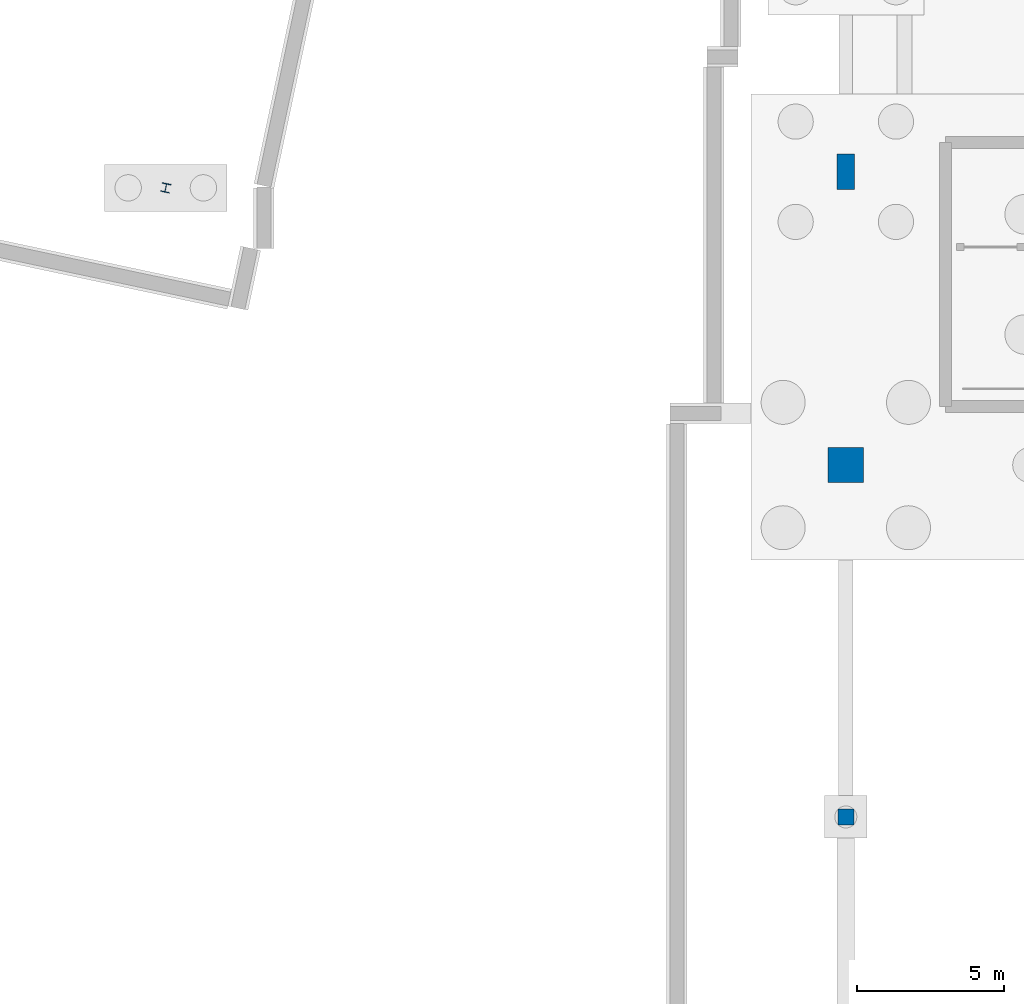
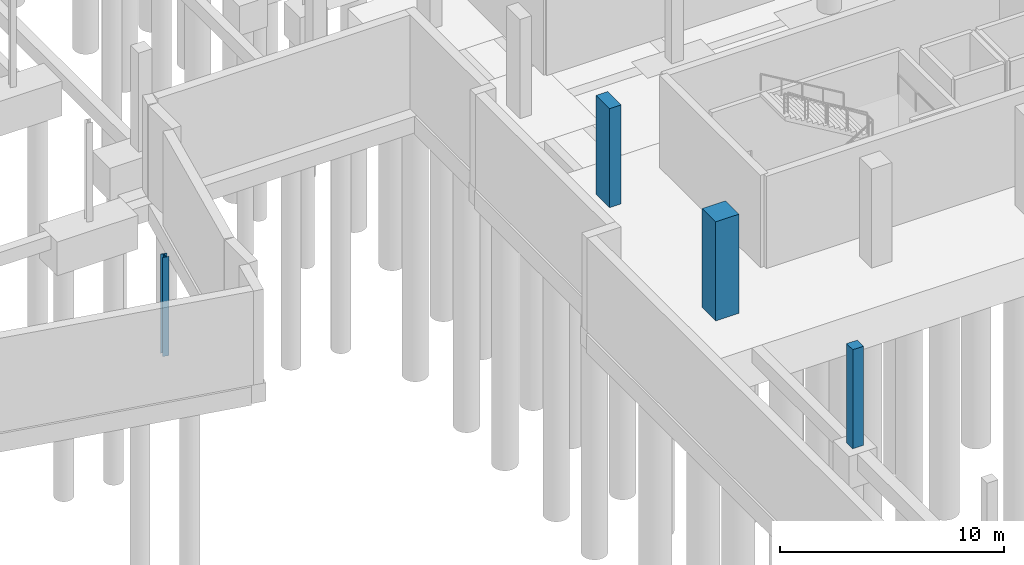
# One storey, part 20 of 65: 4 columns.
"""IFC4 building model written with IfcOpenShell, lengths in metres."""

from ifc_helpers import new_model, si_unit, direction, frame, origin, origin_2d, place, context, subcontext, project, spatial, rectangle, i_section, extrude, material, material_profile, profile_set, type_object, element, save


model = new_model("IFC4")

# Units and contexts
model_context = context("Model", 3, precision=1e-05, world=origin(), true_north=direction((0.0, 1.0)))
body_context = subcontext(model_context, "Body", "Model", "MODEL_VIEW")
ifc_project = project(units=[si_unit("LENGTHUNIT", "METRE"), si_unit("AREAUNIT", "SQUARE_METRE"), si_unit("VOLUMEUNIT", "CUBIC_METRE"), si_unit("PLANEANGLEUNIT", "RADIAN"), si_unit("MASSUNIT", "GRAM", prefix="KILO")], contexts=[model_context])

# Site, building, storey
site_placement = place(None, origin())
site = spatial("IfcSite", under=ifc_project, at=site_placement, CompositionType="ELEMENT")
building_placement = place(site_placement, origin())
building = spatial("IfcBuilding", under=site, at=building_placement, Name="Khorjan Park Terminus", CompositionType="ELEMENT")
storey_placement = place(building_placement, frame((0.0, 0.0, -5.4)))
storey = spatial("IfcBuildingStorey", under=building, at=storey_placement, Name="B1", CompositionType="ELEMENT", Elevation=-5.4)

# Columns
ifc_material_1 = material(Name="Concrete C50/60", Category="concrete")
ifc_material_profile_1 = material_profile(ifc_material_1, rectangle(XDim=0.6, YDim=1.2, at=origin_2d()), Name="RC 600x1200")
ifc_profile_set_1 = profile_set([ifc_material_profile_1], Name="Concrete C50/60")
column_type_1 = type_object("IfcColumnType", Name="COL-BL1200", PredefinedType="COLUMN", material=ifc_profile_set_1)
column_1_placement = place(storey_placement, frame((48.0, 36.0, 0.0), z_axis=(0.0, 0.0, 1.0), x_axis=(1.0, 0.0, 0.0)))
element("IfcColumn", 1, at=column_1_placement, inside=storey, type_object=column_type_1, Name="Structural column C-BL12 (B1 #235)", PredefinedType="COLUMN", context=body_context, shape_type="SweptSolid", body=[
    extrude(rectangle(XDim=0.6, YDim=1.2, at=origin_2d()), origin(), (0.0, 0.0, 1.0), 5.4),
])
ifc_material_2 = material(Name="Steel S355", Category="steel")
ifc_material_profile_2 = material_profile(ifc_material_2, i_section(OverallWidth=0.3, OverallDepth=0.3, WebThickness=0.011, FlangeThickness=0.019, FilletRadius=0.027, at=origin_2d()), Name="HEB 300")
ifc_profile_set_2 = profile_set([ifc_material_profile_2], Name="Steel S355")
column_type_2 = type_object("IfcColumnType", Name="COL-HB300E", PredefinedType="COLUMN", material=ifc_profile_set_2)
column_2_placement = place(storey_placement, frame((24.812, 35.451, 0.0), z_axis=(0.0, 0.0, 1.0), x_axis=(0.978147600734, -0.207911690818, 0.0)))
element("IfcColumn", 2, at=column_2_placement, inside=storey, type_object=column_type_2, Name="Structural column SC-H30 (B1 #638)", PredefinedType="COLUMN", context=body_context, shape_type="SweptSolid", body=[
    extrude(i_section(OverallWidth=0.3, OverallDepth=0.3, WebThickness=0.011, FlangeThickness=0.019, FilletRadius=0.027, at=origin_2d()), origin(), (0.0, 0.0, 1.0), 5.4),
])
ifc_material_profile_3 = material_profile(ifc_material_1, rectangle(XDim=1.2, YDim=1.2, at=origin_2d()), Name="RC 1200x1200")
ifc_profile_set_3 = profile_set([ifc_material_profile_3], Name="Concrete C50/60")
column_type_3 = type_object("IfcColumnType", Name="COL-RC1200", PredefinedType="COLUMN", material=ifc_profile_set_3)
column_3_placement = place(storey_placement, frame((48.0, 26.0, 0.0), z_axis=(0.0, 0.0, 1.0), x_axis=(1.0, 0.0, 0.0)))
element("IfcColumn", 3, at=column_3_placement, inside=storey, type_object=column_type_3, Name="Structural column C-RC12 (B1 #230)", PredefinedType="COLUMN", context=body_context, shape_type="SweptSolid", body=[
    extrude(rectangle(XDim=1.2, YDim=1.2, at=origin_2d()), origin(), (0.0, 0.0, 1.0), 5.4),
])
ifc_material_3 = material(Name="Concrete C40/50", Category="concrete")
ifc_material_profile_4 = material_profile(ifc_material_3, rectangle(XDim=0.55, YDim=0.55, at=origin_2d()), Name="RC 550x550")
ifc_profile_set_4 = profile_set([ifc_material_profile_4], Name="Concrete C40/50")
column_type_4 = type_object("IfcColumnType", Name="COL-RC550", PredefinedType="COLUMN", material=ifc_profile_set_4)
column_4_placement = place(storey_placement, frame((48.0, 14.0, 0.0), z_axis=(0.0, 0.0, 1.0), x_axis=(1.0, 0.0, 0.0)))
element("IfcColumn", 4, at=column_4_placement, inside=storey, type_object=column_type_4, Name="Structural column C-RC55 (B1 #950)", PredefinedType="COLUMN", context=body_context, shape_type="SweptSolid", body=[
    extrude(rectangle(XDim=0.55, YDim=0.55, at=origin_2d()), origin(), (0.0, 0.0, 1.0), 5.4),
])

save(model, "model.ifc")
